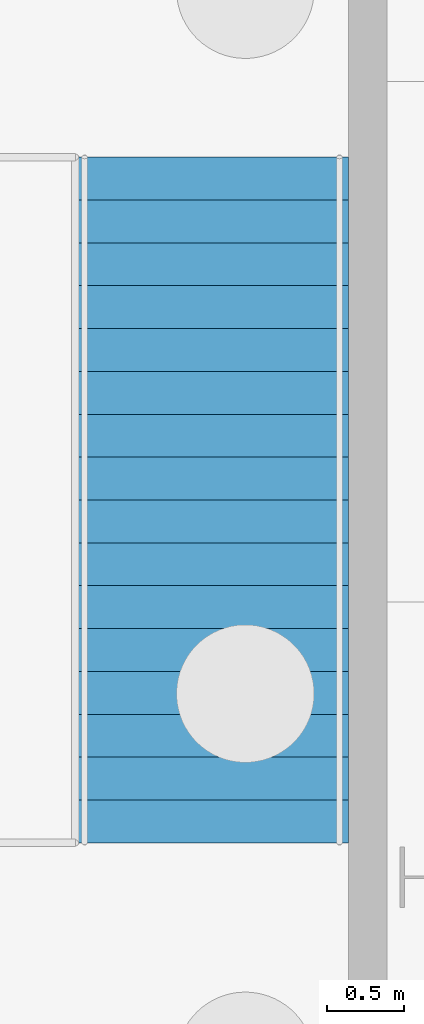
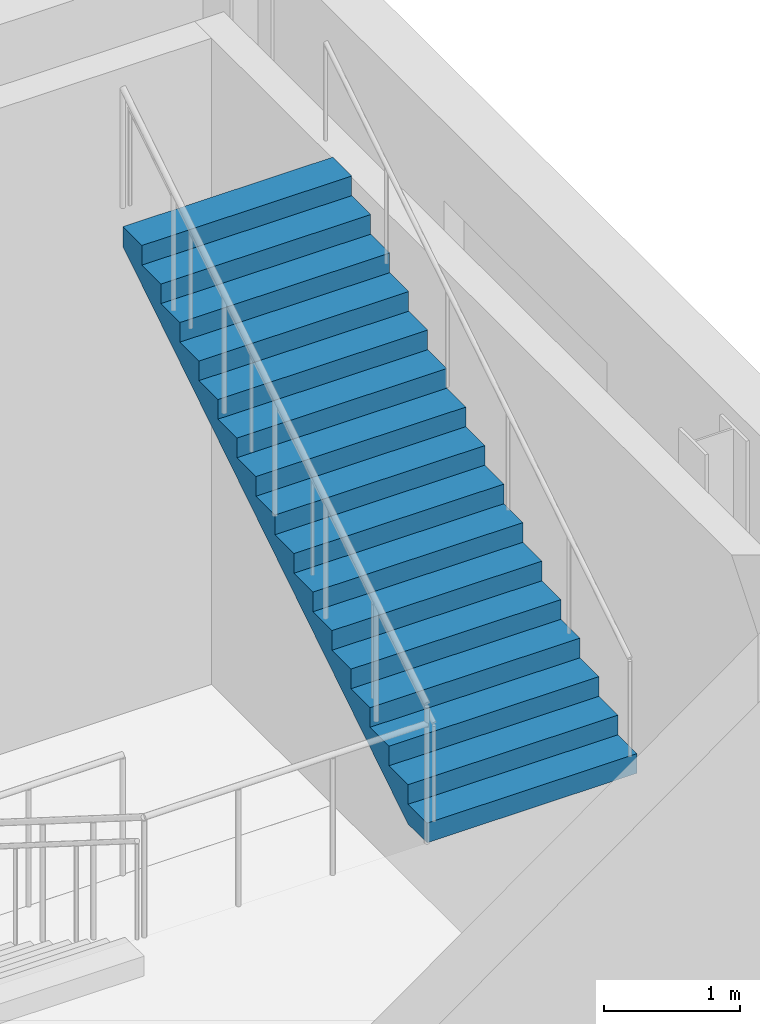
# One storey, part 13 of 16: 1 stair flight, 1 element without a shape of its own.
"""IFC4 building model written with IfcOpenShell, lengths in metres."""

from ifc_helpers import new_model, si_unit, direction, frame, origin, place, context, subcontext, project, spatial, polyline, outline, extrude, material, type_object, element, aggregate, save


model = new_model("IFC4")

# Units and contexts
model_context = context("Model", 3, precision=1e-05, world=origin(), true_north=direction((0.0, 1.0)))
body_context = subcontext(model_context, "Body", "Model", "MODEL_VIEW")
ifc_project = project(units=[si_unit("LENGTHUNIT", "METRE"), si_unit("AREAUNIT", "SQUARE_METRE"), si_unit("VOLUMEUNIT", "CUBIC_METRE"), si_unit("PLANEANGLEUNIT", "RADIAN"), si_unit("MASSUNIT", "GRAM", prefix="KILO")], contexts=[model_context])

# Site, building, storey
site_placement = place(None, origin())
site = spatial("IfcSite", under=ifc_project, at=site_placement, CompositionType="ELEMENT")
building_placement = place(site_placement, origin())
building = spatial("IfcBuilding", under=site, at=building_placement, Name="Trevanion Tower", CompositionType="ELEMENT")
storey_placement = place(building_placement, origin())
storey = spatial("IfcBuildingStorey", under=building, at=storey_placement, Name="L00", CompositionType="ELEMENT", Elevation=0.0)

# Stair, stair flight
ifc_material_1 = material(Name="Concrete 5,000 psi on steel stringers", Category="concrete")
stair_type = type_object("IfcStairType", Name="ST stair", PredefinedType="HALF_TURN_STAIR", material=ifc_material_1)
stair_placement = place(storey_placement, origin())
stair = element("IfcStair", 1, at=stair_placement, inside=storey, type_object=stair_type, Name="ST3 L00", PredefinedType="HALF_TURN_STAIR")
ifc_material_2 = material(Name="Concrete 5,000 psi in steel pan", Category="concrete")
stair_flight_type = type_object("IfcStairFlightType", Name="STF stair flight", PredefinedType="STRAIGHT", material=ifc_material_2)
stair_flight_placement = place(storey_placement, frame((37.58251953125, 18.22509765625, 3.0), z_axis=(0.0, 0.0, 1.0), x_axis=(0.0, 1.0, 0.0)))
stair_flight = element("IfcStairFlight", 2, at=stair_flight_placement, type_object=stair_flight_type, Name="ST3 flight 2", NumberOfRisers=17, NumberOfTreads=16, PredefinedType="STRAIGHT", RiserHeight=0.176470588, TreadLength=0.28, context=body_context, shape_type="SweptSolid", body=[
    extrude(outline(polyline([(0.0, 0.0), (0.0, 0.176513671875), (0.280029296875, 0.176513671875), (0.280029296875, 0.35302734375), (0.56005859375, 0.35302734375), (0.56005859375, 0.529296875), (0.840087890625, 0.529296875), (0.840087890625, 0.705810546875), (1.1201171875, 0.705810546875), (1.1201171875, 0.88232421875), (1.39990234375, 0.88232421875), (1.39990234375, 1.058837890625), (1.679931640625, 1.058837890625), (1.679931640625, 1.2353515625), (1.9599609375, 1.2353515625), (1.9599609375, 1.411865234375), (2.239990234375, 1.411865234375), (2.239990234375, 1.588134765625), (2.52001953125, 1.588134765625), (2.52001953125, 1.7646484375), (2.800048828125, 1.7646484375), (2.800048828125, 1.941162109375), (3.080078125, 1.941162109375), (3.080078125, 2.11767578125), (3.360107421875, 2.11767578125), (3.360107421875, 2.294189453125), (3.639892578125, 2.294189453125), (3.639892578125, 2.470703125), (3.919921875, 2.470703125), (3.919921875, 2.64697265625), (4.199951171875, 2.64697265625), (4.199951171875, 2.823486328125), (4.47998046875, 2.823486328125), (4.47998046875, 3.0), (4.47998046875, 2.646240234375), (0.28125, 0.0), (0.0, 0.0)])), frame((0.0, 0.892578125, 0.0), z_axis=(0.0, -1.0, 0.0), x_axis=(1.0, 0.0, 0.0)), (0.0, 0.0, 1.0), 1.784912109375),
])
aggregate(stair, [stair_flight])

save(model, "model.ifc")
